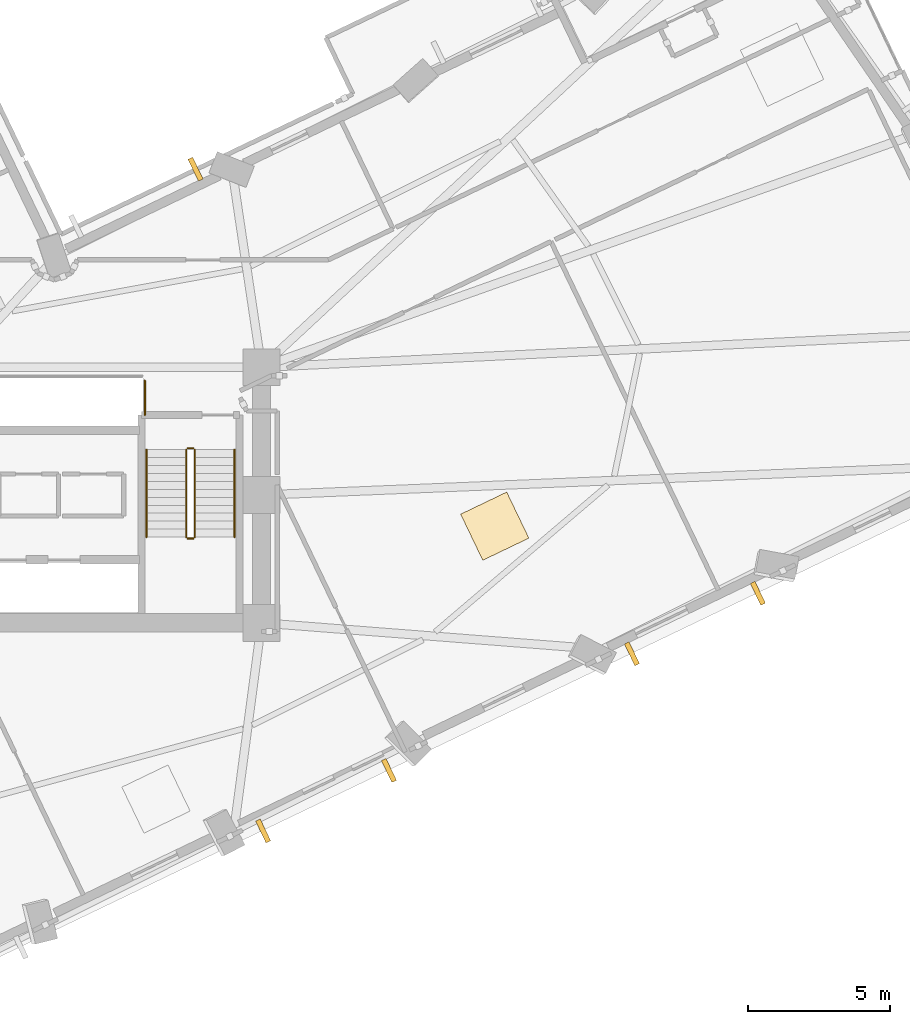
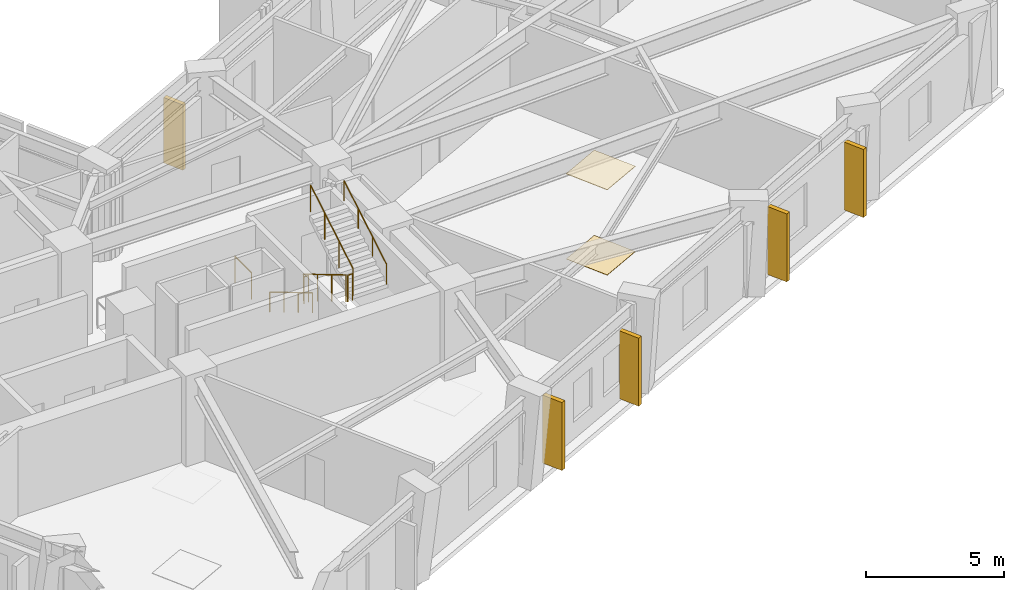
# One storey, part 13 of 16: 7 railings, 5 shading devices, 2 coverings.
"""IFC4 building model written with IfcOpenShell, lengths in metres."""

from ifc_helpers import new_model, si_unit, direction, frame, origin, origin_2d, place, context, subcontext, project, spatial, rectangle, circle, extrude, material, layer, layer_set, type_object, element, save


model = new_model("IFC4")

# Units and contexts
model_context = context("Model", 3, precision=1e-05, world=origin(), true_north=direction((0.0, 1.0)))
body_context = subcontext(model_context, "Body", "Model", "MODEL_VIEW")
ifc_project = project(units=[si_unit("LENGTHUNIT", "METRE"), si_unit("AREAUNIT", "SQUARE_METRE"), si_unit("VOLUMEUNIT", "CUBIC_METRE"), si_unit("PLANEANGLEUNIT", "RADIAN"), si_unit("MASSUNIT", "GRAM", prefix="KILO")], contexts=[model_context])

# Site, building, storey
site_placement = place(None, origin())
site = spatial("IfcSite", under=ifc_project, at=site_placement, CompositionType="ELEMENT")
building_placement = place(site_placement, origin())
building = spatial("IfcBuilding", under=site, at=building_placement, Name="Gaonmaruhae Medical Tower", CompositionType="ELEMENT")
storey_placement = place(building_placement, frame((0.0, 0.0, 132.39990234375)))
storey = spatial("IfcBuildingStorey", under=building, at=storey_placement, Name="L31", CompositionType="ELEMENT", Elevation=132.39990234375)

# Coverings
ifc_material_1 = material(Name="Acoustic mineral ceiling tile", Category="finish")
ifc_layer_1 = layer(ifc_material_1, 0.02490234375)
ifc_layer_set_1 = layer_set([ifc_layer_1], Name="Acoustic mineral ceiling tile")
covering_type_1 = type_object("IfcCoveringType", Name="CLG-01 Antimicrobial Acoustic Mineral Ceiling", PredefinedType="CEILING", material=ifc_layer_set_1)
covering_1_placement = place(storey_placement, frame((43.8115234375, 11.204345703125, 3.755126953125), z_axis=(0.0, 0.0, 1.0), x_axis=(0.901455117112, 0.43287258152, 0.0)))
element("IfcCovering", 1, at=covering_1_placement, inside=storey, type_object=covering_type_1, Name="L31 Clinical Room Acoustic Ceiling 4", PredefinedType="CEILING", context=body_context, shape_type="SweptSolid", body=[
    extrude(rectangle(XDim=1.800048828125, YDim=1.800048828125, at=origin_2d()), origin(), (0.0, 0.0, 1.0), 0.02490234375),
])
ifc_material_2 = material(Name="Seamless clinical vinyl flooring", Category="finish")
ifc_layer_2 = layer(ifc_material_2, 0.014892578125)
ifc_layer_set_2 = layer_set([ifc_layer_2], Name="Seamless clinical vinyl flooring")
covering_type_2 = type_object("IfcCoveringType", Name="FLR-01 Seamless Clinical Antistatic Vinyl Flooring", PredefinedType="FLOORING", material=ifc_layer_set_2)
covering_2_placement = place(storey_placement, frame((43.8115234375, 11.204345703125, 0.0), z_axis=(0.0, 0.0, 1.0), x_axis=(0.901455117112, 0.43287258152, 0.0)))
element("IfcCovering", 2, at=covering_2_placement, inside=storey, type_object=covering_type_2, Name="L31 Clinical Room Vinyl Flooring 4", PredefinedType="FLOORING", context=body_context, shape_type="SweptSolid", body=[
    extrude(rectangle(XDim=1.800048828125, YDim=1.800048828125, at=origin_2d()), origin(), (0.0, 0.0, 1.0), 0.014892578125),
])

# Railings
ifc_material_3 = material(Name="Stainless steel 304 handrail", Category="steel")
railing_type_1 = type_object("IfcRailingType", Name="HR-092 Continuous Stainless Steel Stair Handrail", PredefinedType="HANDRAIL", material=ifc_material_3)
railing_1_placement = place(storey_placement, frame((31.550048828125, 13.89990234375, 0.166748046875)))
element("IfcRailing", 3, at=railing_1_placement, inside=storey, type_object=railing_type_1, Name="L31 ST-02 stair handrail 1", PredefinedType="HANDRAIL", context=body_context, shape_type="SweptSolid", body=[
    extrude(circle(Radius=0.02392578125, at=origin_2d()), frame((0.0, 0.0, 0.8759765625), z_axis=(0.0, -0.859290745958, 0.51148745235), x_axis=(1.0, 0.0, 0.0)), (0.0, 0.0, 1.0), 3.584228515625),
    extrude(circle(Radius=0.02099609375, at=origin_2d()), origin(), (0.0, 0.0, 1.0), 0.851806640625),
    extrude(circle(Radius=0.02099609375, at=origin_2d()), frame((0.0, -1.026611328125, 0.611083984375)), (0.0, 0.0, 1.0), 0.851806640625),
    extrude(circle(Radius=0.02099609375, at=origin_2d()), frame((0.0, -2.05322265625, 1.22216796875)), (0.0, 0.0, 1.0), 0.851806640625),
    extrude(circle(Radius=0.02099609375, at=origin_2d()), frame((0.0, -3.079833984375, 1.833251953125)), (0.0, 0.0, 1.0), 0.851806640625),
])
railing_2_placement = place(storey_placement, frame((34.64990234375, 10.820068359375, 2.166748046875)))
element("IfcRailing", 4, at=railing_2_placement, inside=storey, type_object=railing_type_1, Name="L31 ST-02 stair handrail 2", PredefinedType="HANDRAIL", context=body_context, shape_type="SweptSolid", body=[
    extrude(circle(Radius=0.02392578125, at=origin_2d()), frame((0.0, 0.0, 0.8759765625), z_axis=(0.0, 0.859290745958, 0.51148745235), x_axis=(-1.0, 0.0, 0.0)), (0.0, 0.0, 1.0), 3.584228515625),
    extrude(circle(Radius=0.02099609375, at=origin_2d()), origin(), (0.0, 0.0, 1.0), 0.851806640625),
    extrude(circle(Radius=0.02099609375, at=origin_2d()), frame((0.0, 1.026611328125, 0.611083984375)), (0.0, 0.0, 1.0), 0.851806640625),
    extrude(circle(Radius=0.02099609375, at=origin_2d()), frame((0.0, 2.05322265625, 1.22216796875)), (0.0, 0.0, 1.0), 0.851806640625),
    extrude(circle(Radius=0.02099609375, at=origin_2d()), frame((0.0, 3.079833984375, 1.833251953125)), (0.0, 0.0, 1.0), 0.851806640625),
])

# Shading devices
ifc_material_4 = material(Name="Pigmented coral precast concrete C45/55", Category="concrete")
shading_device_type = type_object("IfcShadingDeviceType", Name="SD-FIN1 Tower Vertical Coral Precast Shading Fin", PredefinedType="USERDEFINED", material=ifc_material_4)
for number, where, z_axis, x_axis, name in (
    (5, (40.08544921875, 2.605224609375, 0.08251953125), (0.0, 0.0, 1.0), (-0.901455117112, -0.43287258152, 0.0), "L31 Vertical Coral Precast Shading Fin S03"),
    (6, (35.655517578125, 0.477783203125, 0.08251953125), (0.0, 0.0, 1.0), (-0.901455117112, -0.43287258152, 0.0), "L31 Vertical Coral Precast Shading Fin S03B"),
    (7, (53.073974609375, 8.842041015625, 0.08251953125), (0.0, 0.0, 1.0), (-0.901455117112, -0.43287258152, 0.0), "L31 Vertical Coral Precast Shading Fin S05"),
    (8, (48.640380859375, 6.713134765625, 0.08251953125), (0.0, 0.0, 1.0), (-0.901455117112, -0.43287258152, 0.0), "L31 Vertical Coral Precast Shading Fin S05B"),
):
    element("IfcShadingDevice", number, at=place(storey_placement, frame(where, z_axis=z_axis, x_axis=x_axis)), inside=storey, type_object=shading_device_type, Name=name, ObjectType="FIN", PredefinedType="USERDEFINED", context=body_context, shape_type="SweptSolid", body=[
        extrude(rectangle(XDim=0.179931640625, YDim=0.85009765625, at=origin_2d()), origin(), (0.0, 0.0, 1.0), 3.0),
    ])
shading_device_placement = place(storey_placement, frame((33.277099609375, 23.774169921875, 0.0400390625), z_axis=(0.0, 0.0, 1.0), x_axis=(0.901455117112, 0.43287258152, 0.0)))
element("IfcShadingDevice", 9, at=shading_device_placement, inside=storey, type_object=shading_device_type, Name="L31 Vertical Coral Precast Shading Fin EN03B", ObjectType="FIN", PredefinedType="USERDEFINED", context=body_context, shape_type="SweptSolid", body=[
    extrude(rectangle(XDim=0.179931640625, YDim=0.85009765625, at=origin_2d()), origin(), (0.0, 0.0, 1.0), 2.885009765625),
])

# Railings
ifc_material_5 = material(Name="Stainless steel 304 balustrade", Category="steel")
railing_type_2 = type_object("IfcRailingType", Name="SG-112 Stair Well & Ramp Void Safety Balustrade", PredefinedType="BALUSTRADE", material=ifc_material_5)
railing_3_placement = place(storey_placement, frame((32.949951171875, 13.89990234375, 0.166748046875)))
element("IfcRailing", 10, at=railing_3_placement, inside=storey, type_object=railing_type_2, Name="L31 ST-02 stair guard 1", PredefinedType="BALUSTRADE", context=body_context, shape_type="SweptSolid", body=[
    extrude(circle(Radius=0.02392578125, at=origin_2d()), frame((0.0, 0.0, 1.17578125), z_axis=(0.0, -0.859290745958, 0.51148745235), x_axis=(1.0, 0.0, 0.0)), (0.0, 0.0, 1.0), 3.584228515625),
    extrude(circle(Radius=0.02099609375, at=origin_2d()), origin(), (0.0, 0.0, 1.0), 1.15185546875),
    extrude(circle(Radius=0.02099609375, at=origin_2d()), frame((0.0, -1.026611328125, 0.611083984375)), (0.0, 0.0, 1.0), 1.15185546875),
    extrude(circle(Radius=0.02099609375, at=origin_2d()), frame((0.0, -2.05322265625, 1.22216796875)), (0.0, 0.0, 1.0), 1.15185546875),
    extrude(circle(Radius=0.02099609375, at=origin_2d()), frame((0.0, -3.079833984375, 1.833251953125)), (0.0, 0.0, 1.0), 1.15185546875),
])
railing_4_placement = place(storey_placement, frame((33.0, 10.77001953125, 2.0)))
element("IfcRailing", 11, at=railing_4_placement, inside=storey, type_object=railing_type_2, Name="L31 ST-02 stair guard 2", PredefinedType="BALUSTRADE", context=body_context, shape_type="SweptSolid", body=[
    extrude(circle(Radius=0.02392578125, at=origin_2d()), frame((0.0, 0.0, 1.17578125), z_axis=(1.0, 0.0, 0.0), x_axis=(0.0, 1.0, 0.0)), (0.0, 0.0, 1.0), 0.199951171875),
    extrude(circle(Radius=0.02099609375, at=origin_2d()), origin(), (0.0, 0.0, 1.0), 1.15185546875),
    extrude(circle(Radius=0.02099609375, at=origin_2d()), frame((0.199951171875, 0.0, 0.0)), (0.0, 0.0, 1.0), 1.15185546875),
])
railing_5_placement = place(storey_placement, frame((33.25, 10.820068359375, 2.166748046875)))
element("IfcRailing", 12, at=railing_5_placement, inside=storey, type_object=railing_type_2, Name="L31 ST-02 stair guard 3", PredefinedType="BALUSTRADE", context=body_context, shape_type="SweptSolid", body=[
    extrude(circle(Radius=0.02392578125, at=origin_2d()), frame((0.0, 0.0, 1.17578125), z_axis=(0.0, 0.859290745958, 0.51148745235), x_axis=(-1.0, 0.0, 0.0)), (0.0, 0.0, 1.0), 3.584228515625),
    extrude(circle(Radius=0.02099609375, at=origin_2d()), origin(), (0.0, 0.0, 1.0), 1.15185546875),
    extrude(circle(Radius=0.02099609375, at=origin_2d()), frame((0.0, 1.026611328125, 0.611083984375)), (0.0, 0.0, 1.0), 1.15185546875),
    extrude(circle(Radius=0.02099609375, at=origin_2d()), frame((0.0, 2.05322265625, 1.22216796875)), (0.0, 0.0, 1.0), 1.15185546875),
    extrude(circle(Radius=0.02099609375, at=origin_2d()), frame((0.0, 3.079833984375, 1.833251953125)), (0.0, 0.0, 1.0), 1.15185546875),
])
railing_6_placement = place(storey_placement, frame((33.0, 13.949951171875, 0.0)))
element("IfcRailing", 13, at=railing_6_placement, inside=storey, type_object=railing_type_2, Name="L31 ST-02 stair guard 4", PredefinedType="BALUSTRADE", context=body_context, shape_type="SweptSolid", body=[
    extrude(circle(Radius=0.02392578125, at=origin_2d()), frame((0.0, 0.0, 1.17578125), z_axis=(1.0, 0.0, 0.0), x_axis=(0.0, 1.0, 0.0)), (0.0, 0.0, 1.0), 0.199951171875),
    extrude(circle(Radius=0.02099609375, at=origin_2d()), origin(), (0.0, 0.0, 1.0), 1.15185546875),
    extrude(circle(Radius=0.02099609375, at=origin_2d()), frame((0.199951171875, 0.0, 0.0)), (0.0, 0.0, 1.0), 1.15185546875),
])
railing_7_placement = place(storey_placement, frame((31.4951171875, 16.330078125, 0.0)))
element("IfcRailing", 14, at=railing_7_placement, inside=storey, type_object=railing_type_2, Name="L31 Shaft Edge Safety Guard 08", PredefinedType="BALUSTRADE", context=body_context, shape_type="SweptSolid", body=[
    extrude(circle(Radius=0.02392578125, at=origin_2d()), frame((0.0, 0.0, 1.17578125), z_axis=(0.0, -1.0, 0.0), x_axis=(1.0, 0.0, 0.0)), (0.0, 0.0, 1.0), 1.2099609375),
    extrude(circle(Radius=0.02099609375, at=origin_2d()), origin(), (0.0, 0.0, 1.0), 1.15185546875),
    extrude(circle(Radius=0.02099609375, at=origin_2d()), frame((0.0, -1.2099609375, 0.0)), (0.0, 0.0, 1.0), 1.15185546875),
])

save(model, "model.ifc")
